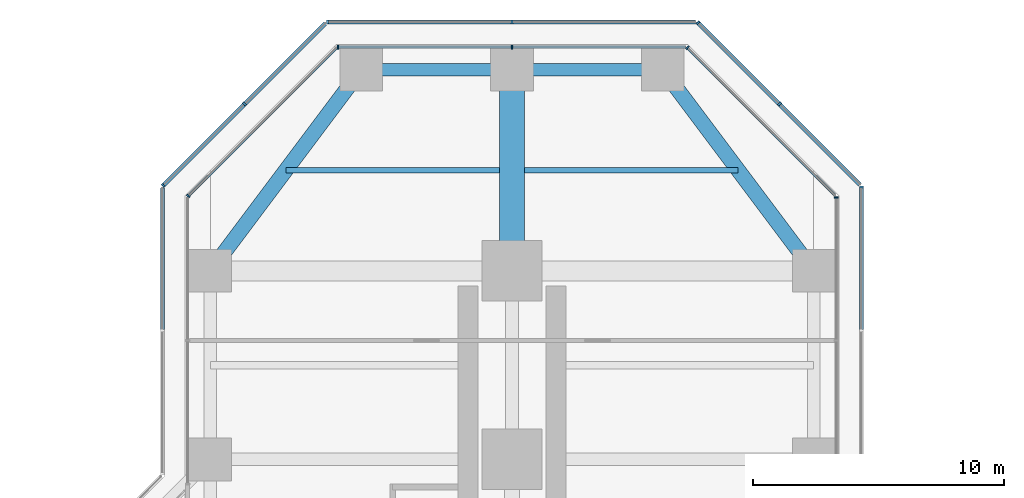
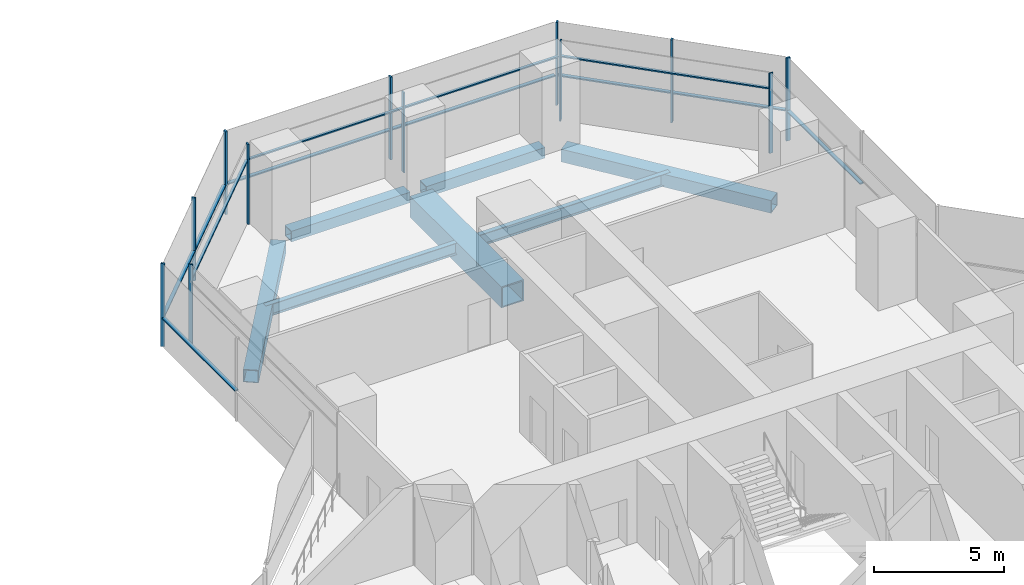
# One storey, part 13 of 22: 24 members, 7 beams, 9 elements without a shape of their own.
"""IFC4 building model written with IfcOpenShell, lengths in metres."""

from ifc_helpers import new_model, si_unit, direction, frame, origin, origin_2d, place, context, subcontext, project, spatial, rectangle, hollow_rectangle, i_section, extrude, material, material_profile, profile_set, type_object, element, aggregate, save


model = new_model("IFC4")

# Units and contexts
model_context = context("Model", 3, precision=1e-05, world=origin(), true_north=direction((0.0, 1.0)))
body_context = subcontext(model_context, "Body", "Model", "MODEL_VIEW")
ifc_project = project(units=[si_unit("LENGTHUNIT", "METRE"), si_unit("AREAUNIT", "SQUARE_METRE"), si_unit("VOLUMEUNIT", "CUBIC_METRE"), si_unit("PLANEANGLEUNIT", "RADIAN"), si_unit("MASSUNIT", "GRAM", prefix="KILO")], contexts=[model_context])

# Site, building, storey
site_placement = place(None, origin())
site = spatial("IfcSite", under=ifc_project, at=site_placement, CompositionType="ELEMENT")
building_placement = place(site_placement, origin())
building = spatial("IfcBuilding", under=site, at=building_placement, Name="Mizan Broadcast Tower", CompositionType="ELEMENT")
storey_placement = place(building_placement, frame((0.0, 0.0, 66.89990234375)))
storey = spatial("IfcBuildingStorey", under=building, at=storey_placement, Name="L13", CompositionType="ELEMENT", Elevation=66.89990234375)

# Beams
ifc_material_1 = material(Name="Steel S355", Category="steel")
ifc_material_profile_1 = material_profile(ifc_material_1, hollow_rectangle(XDim=0.5, YDim=0.5, WallThickness=0.030029296875, at=origin_2d()), Name="BOX 500x500x30")
ifc_profile_set_1 = profile_set([ifc_material_profile_1], Name="Steel S355")
beam_type_1 = type_object("IfcBeamType", Name="EDGE BEAM BOX 500x500x30", PredefinedType="SPANDREL", material=ifc_profile_set_1)
for number, where, z_axis, x_axis, name in (
    (1, (5.639892578125, 35.0, -0.3798828125), (-1.0, 0.0, 0.0), (0.0, -1.0, 0.0), "Edge beam BOX 500x500x30 L13 north arm"),
    (2, (-5.639892578125, 35.0, -0.3798828125), (1.0, 0.0, 0.0), (0.0, 1.0, 0.0), "Edge beam BOX 500x500x30 L13 north arm"),
):
    element("IfcBeam", number, at=place(storey_placement, frame(where, z_axis=z_axis, x_axis=x_axis)), inside=storey, type_object=beam_type_1, Name=name, PredefinedType="SPANDREL", context=body_context, shape_type="SweptSolid", body=[
        extrude(hollow_rectangle(XDim=0.5, YDim=0.5, WallThickness=0.030029296875, at=origin_2d()), origin(), (0.0, 0.0, 1.0), 5.27978515625),
    ])
ifc_material_2 = material(Name="Steel S355", Category="steel")
ifc_material_profile_2 = material_profile(ifc_material_2, hollow_rectangle(XDim=0.60009765625, YDim=0.60009765625, WallThickness=0.030029296875, at=origin_2d()), Name="BOX 600x600x30")
ifc_profile_set_2 = profile_set([ifc_material_profile_2], Name="Steel S355")
beam_type_2 = type_object("IfcBeamType", Name="EDGE BEAM BOX 600x600x30", PredefinedType="SPANDREL", material=ifc_profile_set_2)
for number, where, z_axis, x_axis, name in (
    (3, (11.639892578125, 27.47998046875, -0.429931640625), (-0.599982243973, 0.800013316712, 0.0), (-0.800013316712, -0.599982243973, 0.0), "Edge beam BOX 600x600x30 L13 north arm"),
    (4, (-11.639892578125, 27.47998046875, -0.429931640625), (0.599982243973, 0.800013316712, 0.0), (-0.800013316712, 0.599982243973, 0.0), "Edge beam BOX 600x600x30 L13 north arm"),
):
    element("IfcBeam", number, at=place(storey_placement, frame(where, z_axis=z_axis, x_axis=x_axis)), inside=storey, type_object=beam_type_2, Name=name, PredefinedType="SPANDREL", context=body_context, shape_type="SweptSolid", body=[
        extrude(hollow_rectangle(XDim=0.60009765625, YDim=0.60009765625, WallThickness=0.030029296875, at=origin_2d()), origin(), (0.0, 0.0, 1.0), 8.7998046875),
    ])
ifc_material_3 = material(Name="Steel S460", Category="steel")
ifc_material_profile_3 = material_profile(ifc_material_3, hollow_rectangle(XDim=1.0, YDim=1.0, WallThickness=0.06005859375, at=origin_2d()), Name="BOX 1000x1000x60")
ifc_profile_set_3 = profile_set([ifc_material_profile_3], Name="Steel S460")
beam_type_3 = type_object("IfcBeamType", Name="GIRDER BOX 1000x1000x60", PredefinedType="BEAM", material=ifc_profile_set_3)
beam_placement = place(storey_placement, frame((0.0, 27.47998046875, -0.6298828125), z_axis=(0.0, 1.0, 0.0), x_axis=(-1.0, 0.0, 0.0)))
element("IfcBeam", 5, at=beam_placement, inside=storey, type_object=beam_type_3, Name="Girder BOX 1000x1000x60 L13 north arm", PredefinedType="BEAM", context=body_context, shape_type="SweptSolid", body=[
    extrude(hollow_rectangle(XDim=1.0, YDim=1.0, WallThickness=0.06005859375, at=origin_2d()), origin(), (0.0, 0.0, 1.0), 7.0400390625),
])

# Curtain wall, member
ifc_material_4 = material(Name="Aluminium framed glazing", Category="aluminium")
curtain_wall_type_1 = type_object("IfcCurtainWallType", Name="INNER SKIN LOW ZONE", PredefinedType="USERDEFINED", material=ifc_material_4)
curtain_wall_1_placement = place(storey_placement, origin())
curtain_wall_1 = element("IfcCurtainWall", 6, at=curtain_wall_1_placement, inside=storey, type_object=curtain_wall_type_1, Name="Inner skin low zone L13 N side", ObjectType="INNER SKIN LOW ZONE", PredefinedType="USERDEFINED")
ifc_material_5 = material(Name="Aluminium, pale anodised", Category="aluminium")
ifc_material_profile_4 = material_profile(ifc_material_5, rectangle(XDim=0.159912109375, YDim=0.06005859375, at=origin_2d()), Name="MULLION 160x60")
ifc_profile_set_4 = profile_set([ifc_material_profile_4], Name="Aluminium, pale anodised")
member_type_1 = type_object("IfcMemberType", Name="INNER SKIN MULLION 60x160", PredefinedType="MULLION", material=ifc_profile_set_4)
member_1_placement = place(storey_placement, frame((12.89990234375, 29.928466796875, 0.0), z_axis=(0.0, 0.0, 1.0), x_axis=(-1.0, 0.0, 0.0)))
member_1 = element("IfcMember", 7, at=member_1_placement, type_object=member_type_1, Name="Inner skin low zone L13 N side mullion 3", PredefinedType="MULLION", context=body_context, shape_type="SweptSolid", body=[
    extrude(rectangle(XDim=0.159912109375, YDim=0.06005859375, at=origin_2d()), origin(), (0.0, 0.0, 1.0), 3.77001953125),
])
aggregate(curtain_wall_1, [member_1])

curtain_wall_2_placement = place(storey_placement, origin())
curtain_wall_2 = element("IfcCurtainWall", 8, at=curtain_wall_2_placement, inside=storey, type_object=curtain_wall_type_1, Name="Inner skin low zone L13 N chamfer", ObjectType="INNER SKIN LOW ZONE", PredefinedType="USERDEFINED")
member_2_placement = place(storey_placement, frame((6.979736328125, 35.87890625, 0.0), z_axis=(0.0, 0.0, 1.0), x_axis=(-0.707106781187, -0.707106781187, 0.0)))
member_2 = element("IfcMember", 9, at=member_2_placement, type_object=member_type_1, Name="Inner skin low zone L13 N chamfer mullion 2", PredefinedType="MULLION", context=body_context, shape_type="SweptSolid", body=[
    extrude(rectangle(XDim=0.159912109375, YDim=0.06005859375, at=origin_2d()), origin(), (0.0, 0.0, 1.0), 3.77001953125),
])

# Curtain wall, members
curtain_wall_3_placement = place(storey_placement, origin())
curtain_wall_3 = element("IfcCurtainWall", 10, at=curtain_wall_3_placement, inside=storey, type_object=curtain_wall_type_1, Name="Inner skin low zone L13 N end", ObjectType="INNER SKIN LOW ZONE", PredefinedType="USERDEFINED")
member_3_placement = place(storey_placement, frame((0.0, 35.89990234375, 0.0), z_axis=(0.0, 0.0, 1.0), x_axis=(0.0, -1.0, 0.0)))
member_3 = element("IfcMember", 11, at=member_3_placement, type_object=member_type_1, Name="Inner skin low zone L13 N end mullion 2", PredefinedType="MULLION", context=body_context, shape_type="SweptSolid", body=[
    extrude(rectangle(XDim=0.159912109375, YDim=0.06005859375, at=origin_2d()), origin(), (0.0, 0.0, 1.0), 3.77001953125),
])
member_4_placement = place(storey_placement, frame((-6.928466796875, 35.89990234375, 0.0), z_axis=(0.0, 0.0, 1.0), x_axis=(0.0, -1.0, 0.0)))
member_4 = element("IfcMember", 12, at=member_4_placement, type_object=member_type_1, Name="Inner skin low zone L13 N end mullion 3", PredefinedType="MULLION", context=body_context, shape_type="SweptSolid", body=[
    extrude(rectangle(XDim=0.159912109375, YDim=0.06005859375, at=origin_2d()), origin(), (0.0, 0.0, 1.0), 3.77001953125),
])

# Curtain wall, member
curtain_wall_4_placement = place(storey_placement, origin())
curtain_wall_4 = element("IfcCurtainWall", 13, at=curtain_wall_4_placement, inside=storey, type_object=curtain_wall_type_1, Name="Inner skin low zone L13 N chamfer", ObjectType="INNER SKIN LOW ZONE", PredefinedType="USERDEFINED")
member_5_placement = place(storey_placement, frame((-12.87890625, 29.979736328125, 0.0), z_axis=(0.0, 0.0, 1.0), x_axis=(0.707106781187, -0.707106781187, 0.0)))
member_5 = element("IfcMember", 14, at=member_5_placement, type_object=member_type_1, Name="Inner skin low zone L13 N chamfer mullion 2", PredefinedType="MULLION", context=body_context, shape_type="SweptSolid", body=[
    extrude(rectangle(XDim=0.159912109375, YDim=0.06005859375, at=origin_2d()), origin(), (0.0, 0.0, 1.0), 3.77001953125),
])

# Member
ifc_material_6 = material(Name="Aluminium, pale anodised", Category="aluminium")
ifc_material_profile_5 = material_profile(ifc_material_6, rectangle(XDim=0.1201171875, YDim=0.06005859375, at=origin_2d()), Name="TRANSOM 120x60")
ifc_profile_set_5 = profile_set([ifc_material_profile_5], Name="Aluminium, pale anodised")
member_type_2 = type_object("IfcMemberType", Name="INNER SKIN TRANSOM 60x120", PredefinedType="USERDEFINED", material=ifc_profile_set_5)
member_6_placement = place(storey_placement, frame((12.857666015625, 30.0009765625, 3.030029296875), z_axis=(-0.707106781187, 0.707106781187, 0.0), x_axis=(-0.707106781187, -0.707106781187, 0.0)))
member_6 = element("IfcMember", 15, at=member_6_placement, type_object=member_type_2, Name="Inner skin low zone L13 N chamfer transom 1.1", ObjectType="TRANSOM", PredefinedType="USERDEFINED", context=body_context, shape_type="SweptSolid", body=[
    extrude(rectangle(XDim=0.1201171875, YDim=0.06005859375, at=origin_2d()), origin(), (0.0, 0.0, 1.0), 8.28271484375),
])

aggregate(curtain_wall_2, [member_2, member_6])

member_7_placement = place(storey_placement, frame((6.898681640625, 35.89990234375, 3.030029296875), z_axis=(-1.0, 0.0, 0.0), x_axis=(0.0, -1.0, 0.0)))
member_7 = element("IfcMember", 16, at=member_7_placement, type_object=member_type_2, Name="Inner skin low zone L13 N end transom 1.1", ObjectType="TRANSOM", PredefinedType="USERDEFINED", context=body_context, shape_type="SweptSolid", body=[
    extrude(rectangle(XDim=0.1201171875, YDim=0.06005859375, at=origin_2d()), origin(), (0.0, 0.0, 1.0), 6.86865234375),
])

member_8_placement = place(storey_placement, frame((-0.030029296875, 35.89990234375, 3.030029296875), z_axis=(-1.0, 0.0, 0.0), x_axis=(0.0, -1.0, 0.0)))
member_8 = element("IfcMember", 17, at=member_8_placement, type_object=member_type_2, Name="Inner skin low zone L13 N end transom 2.1", ObjectType="TRANSOM", PredefinedType="USERDEFINED", context=body_context, shape_type="SweptSolid", body=[
    extrude(rectangle(XDim=0.1201171875, YDim=0.06005859375, at=origin_2d()), origin(), (0.0, 0.0, 1.0), 6.86865234375),
])

aggregate(curtain_wall_3, [member_3, member_4, member_7, member_8])

member_9_placement = place(storey_placement, frame((-7.0009765625, 35.857666015625, 3.030029296875), z_axis=(-0.707106781187, -0.707106781187, 0.0), x_axis=(0.707106781187, -0.707106781187, 0.0)))
member_9 = element("IfcMember", 18, at=member_9_placement, type_object=member_type_2, Name="Inner skin low zone L13 N chamfer transom 1.1", ObjectType="TRANSOM", PredefinedType="USERDEFINED", context=body_context, shape_type="SweptSolid", body=[
    extrude(rectangle(XDim=0.1201171875, YDim=0.06005859375, at=origin_2d()), origin(), (0.0, 0.0, 1.0), 8.28271484375),
])

aggregate(curtain_wall_4, [member_5, member_9])

# Curtain wall, member
ifc_material_7 = material(Name="Aluminium framed glazing", Category="aluminium")
curtain_wall_type_2 = type_object("IfcCurtainWallType", Name="OUTER SKIN", PredefinedType="USERDEFINED", material=ifc_material_7)
curtain_wall_5_placement = place(storey_placement, origin())
curtain_wall_5 = element("IfcCurtainWall", 19, at=curtain_wall_5_placement, inside=storey, type_object=curtain_wall_type_2, Name="Outer skin L13 N side", ObjectType="OUTER SKIN", PredefinedType="USERDEFINED")
ifc_material_8 = material(Name="Aluminium, pale anodised", Category="aluminium")
ifc_material_profile_6 = material_profile(ifc_material_8, rectangle(XDim=0.159912109375, YDim=0.080078125, at=origin_2d()), Name="MULLION 160x80")
ifc_profile_set_6 = profile_set([ifc_material_profile_6], Name="Aluminium, pale anodised")
member_type_3 = type_object("IfcMemberType", Name="OUTER SKIN MULLION 80x160", PredefinedType="MULLION", material=ifc_profile_set_6)
member_10_placement = place(storey_placement, frame((13.89990234375, 30.332763671875, 0.0), z_axis=(0.0, 0.0, 1.0), x_axis=(-1.0, 0.0, 0.0)))
member_10 = element("IfcMember", 20, at=member_10_placement, type_object=member_type_3, Name="Outer skin L13 N side mullion 3", PredefinedType="MULLION", context=body_context, shape_type="SweptSolid", body=[
    extrude(rectangle(XDim=0.159912109375, YDim=0.080078125, at=origin_2d()), origin(), (0.0, 0.0, 1.0), 3.900146484375),
])

# Curtain wall, members
curtain_wall_6_placement = place(storey_placement, origin())
curtain_wall_6 = element("IfcCurtainWall", 21, at=curtain_wall_6_placement, inside=storey, type_object=curtain_wall_type_2, Name="Outer skin L13 N chamfer", ObjectType="OUTER SKIN", PredefinedType="USERDEFINED")
member_11_placement = place(storey_placement, frame((10.636474609375, 33.636474609375, 0.0), z_axis=(0.0, 0.0, 1.0), x_axis=(-0.707106781187, -0.707106781187, 0.0)))
member_11 = element("IfcMember", 22, at=member_11_placement, type_object=member_type_3, Name="Outer skin L13 N chamfer mullion 2", PredefinedType="MULLION", context=body_context, shape_type="SweptSolid", body=[
    extrude(rectangle(XDim=0.159912109375, YDim=0.080078125, at=origin_2d()), origin(), (0.0, 0.0, 1.0), 3.900146484375),
])
member_12_placement = place(storey_placement, frame((7.401123046875, 36.871826171875, 0.0), z_axis=(0.0, 0.0, 1.0), x_axis=(-0.707106781187, -0.707106781187, 0.0)))
member_12 = element("IfcMember", 23, at=member_12_placement, type_object=member_type_3, Name="Outer skin L13 N chamfer mullion 3", PredefinedType="MULLION", context=body_context, shape_type="SweptSolid", body=[
    extrude(rectangle(XDim=0.159912109375, YDim=0.080078125, at=origin_2d()), origin(), (0.0, 0.0, 1.0), 3.900146484375),
])

curtain_wall_7_placement = place(storey_placement, origin())
curtain_wall_7 = element("IfcCurtainWall", 24, at=curtain_wall_7_placement, inside=storey, type_object=curtain_wall_type_2, Name="Outer skin L13 N end", ObjectType="OUTER SKIN", PredefinedType="USERDEFINED")
member_13_placement = place(storey_placement, frame((0.0, 36.89990234375, 0.0), z_axis=(0.0, 0.0, 1.0), x_axis=(0.0, -1.0, 0.0)))
member_13 = element("IfcMember", 25, at=member_13_placement, type_object=member_type_3, Name="Outer skin L13 N end mullion 2", PredefinedType="MULLION", context=body_context, shape_type="SweptSolid", body=[
    extrude(rectangle(XDim=0.159912109375, YDim=0.080078125, at=origin_2d()), origin(), (0.0, 0.0, 1.0), 3.900146484375),
])
member_14_placement = place(storey_placement, frame((-7.332763671875, 36.89990234375, 0.0), z_axis=(0.0, 0.0, 1.0), x_axis=(0.0, -1.0, 0.0)))
member_14 = element("IfcMember", 26, at=member_14_placement, type_object=member_type_3, Name="Outer skin L13 N end mullion 3", PredefinedType="MULLION", context=body_context, shape_type="SweptSolid", body=[
    extrude(rectangle(XDim=0.159912109375, YDim=0.080078125, at=origin_2d()), origin(), (0.0, 0.0, 1.0), 3.900146484375),
])

curtain_wall_8_placement = place(storey_placement, origin())
curtain_wall_8 = element("IfcCurtainWall", 27, at=curtain_wall_8_placement, inside=storey, type_object=curtain_wall_type_2, Name="Outer skin L13 N chamfer", ObjectType="OUTER SKIN", PredefinedType="USERDEFINED")
member_15_placement = place(storey_placement, frame((-10.636474609375, 33.636474609375, 0.0), z_axis=(0.0, 0.0, 1.0), x_axis=(0.707106781187, -0.707106781187, 0.0)))
member_15 = element("IfcMember", 28, at=member_15_placement, type_object=member_type_3, Name="Outer skin L13 N chamfer mullion 2", PredefinedType="MULLION", context=body_context, shape_type="SweptSolid", body=[
    extrude(rectangle(XDim=0.159912109375, YDim=0.080078125, at=origin_2d()), origin(), (0.0, 0.0, 1.0), 3.900146484375),
])
member_16_placement = place(storey_placement, frame((-13.871826171875, 30.401123046875, 0.0), z_axis=(0.0, 0.0, 1.0), x_axis=(0.707106781187, -0.707106781187, 0.0)))
member_16 = element("IfcMember", 29, at=member_16_placement, type_object=member_type_3, Name="Outer skin L13 N chamfer mullion 3", PredefinedType="MULLION", context=body_context, shape_type="SweptSolid", body=[
    extrude(rectangle(XDim=0.159912109375, YDim=0.080078125, at=origin_2d()), origin(), (0.0, 0.0, 1.0), 3.900146484375),
])

# Member
ifc_material_9 = material(Name="Aluminium, pale anodised", Category="aluminium")
ifc_material_profile_7 = material_profile(ifc_material_9, rectangle(XDim=0.159912109375, YDim=0.06005859375, at=origin_2d()), Name="TRANSOM 160x60")
ifc_profile_set_7 = profile_set([ifc_material_profile_7], Name="Aluminium, pale anodised")
member_type_4 = type_object("IfcMemberType", Name="OUTER SKIN TRANSOM 60x160", PredefinedType="USERDEFINED", material=ifc_profile_set_7)
member_17_placement = place(storey_placement, frame((13.89990234375, 24.662841796875, 1.400146484375), z_axis=(0.0, 1.0, 0.0), x_axis=(-1.0, 0.0, 0.0)))
member_17 = element("IfcMember", 30, at=member_17_placement, type_object=member_type_4, Name="Outer skin L13 N side transom 2.1", ObjectType="TRANSOM", PredefinedType="USERDEFINED", context=body_context, shape_type="SweptSolid", body=[
    extrude(rectangle(XDim=0.159912109375, YDim=0.06005859375, at=origin_2d()), origin(), (0.0, 0.0, 1.0), 5.6298828125),
])

aggregate(curtain_wall_5, [member_10, member_17])

member_18_placement = place(storey_placement, frame((13.843505859375, 30.429443359375, 1.400146484375), z_axis=(-0.707106781187, 0.707106781187, 0.0), x_axis=(-0.707106781187, -0.707106781187, 0.0)))
member_18 = element("IfcMember", 31, at=member_18_placement, type_object=member_type_4, Name="Outer skin L13 N chamfer transom 1.1", ObjectType="TRANSOM", PredefinedType="USERDEFINED", context=body_context, shape_type="SweptSolid", body=[
    extrude(rectangle(XDim=0.159912109375, YDim=0.06005859375, at=origin_2d()), origin(), (0.0, 0.0, 1.0), 4.495361328125),
])

member_19_placement = place(storey_placement, frame((10.608154296875, 33.664794921875, 1.400146484375), z_axis=(-0.707106781187, 0.707106781187, 0.0), x_axis=(-0.707106781187, -0.707106781187, 0.0)))
member_19 = element("IfcMember", 32, at=member_19_placement, type_object=member_type_4, Name="Outer skin L13 N chamfer transom 2.1", ObjectType="TRANSOM", PredefinedType="USERDEFINED", context=body_context, shape_type="SweptSolid", body=[
    extrude(rectangle(XDim=0.159912109375, YDim=0.06005859375, at=origin_2d()), origin(), (0.0, 0.0, 1.0), 4.495361328125),
])

aggregate(curtain_wall_6, [member_11, member_12, member_18, member_19])

member_20_placement = place(storey_placement, frame((7.292724609375, 36.89990234375, 1.400146484375), z_axis=(-1.0, 0.0, 0.0), x_axis=(0.0, -1.0, 0.0)))
member_20 = element("IfcMember", 33, at=member_20_placement, type_object=member_type_4, Name="Outer skin L13 N end transom 1.1", ObjectType="TRANSOM", PredefinedType="USERDEFINED", context=body_context, shape_type="SweptSolid", body=[
    extrude(rectangle(XDim=0.159912109375, YDim=0.06005859375, at=origin_2d()), origin(), (0.0, 0.0, 1.0), 7.252685546875),
])

member_21_placement = place(storey_placement, frame((-0.0400390625, 36.89990234375, 1.400146484375), z_axis=(-1.0, 0.0, 0.0), x_axis=(0.0, -1.0, 0.0)))
member_21 = element("IfcMember", 34, at=member_21_placement, type_object=member_type_4, Name="Outer skin L13 N end transom 2.1", ObjectType="TRANSOM", PredefinedType="USERDEFINED", context=body_context, shape_type="SweptSolid", body=[
    extrude(rectangle(XDim=0.159912109375, YDim=0.06005859375, at=origin_2d()), origin(), (0.0, 0.0, 1.0), 7.252685546875),
])

aggregate(curtain_wall_7, [member_13, member_14, member_20, member_21])

member_22_placement = place(storey_placement, frame((-7.429443359375, 36.843505859375, 1.400146484375), z_axis=(-0.707106781187, -0.707106781187, 0.0), x_axis=(0.707106781187, -0.707106781187, 0.0)))
member_22 = element("IfcMember", 35, at=member_22_placement, type_object=member_type_4, Name="Outer skin L13 N chamfer transom 1.1", ObjectType="TRANSOM", PredefinedType="USERDEFINED", context=body_context, shape_type="SweptSolid", body=[
    extrude(rectangle(XDim=0.159912109375, YDim=0.06005859375, at=origin_2d()), origin(), (0.0, 0.0, 1.0), 4.495361328125),
])

member_23_placement = place(storey_placement, frame((-10.664794921875, 33.608154296875, 1.400146484375), z_axis=(-0.707106781187, -0.707106781187, 0.0), x_axis=(0.707106781187, -0.707106781187, 0.0)))
member_23 = element("IfcMember", 36, at=member_23_placement, type_object=member_type_4, Name="Outer skin L13 N chamfer transom 2.1", ObjectType="TRANSOM", PredefinedType="USERDEFINED", context=body_context, shape_type="SweptSolid", body=[
    extrude(rectangle(XDim=0.159912109375, YDim=0.06005859375, at=origin_2d()), origin(), (0.0, 0.0, 1.0), 4.495361328125),
])

aggregate(curtain_wall_8, [member_15, member_16, member_22, member_23])

# Curtain wall, member
curtain_wall_9_placement = place(storey_placement, origin())
curtain_wall_9 = element("IfcCurtainWall", 37, at=curtain_wall_9_placement, inside=storey, type_object=curtain_wall_type_2, Name="Outer skin L13 N side", ObjectType="OUTER SKIN", PredefinedType="USERDEFINED")
member_24_placement = place(storey_placement, frame((-13.89990234375, 30.292724609375, 1.400146484375), z_axis=(0.0, -1.0, 0.0), x_axis=(1.0, 0.0, 0.0)))
member_24 = element("IfcMember", 38, at=member_24_placement, type_object=member_type_4, Name="Outer skin L13 N side transom 1.1", ObjectType="TRANSOM", PredefinedType="USERDEFINED", context=body_context, shape_type="SweptSolid", body=[
    extrude(rectangle(XDim=0.159912109375, YDim=0.06005859375, at=origin_2d()), origin(), (0.0, 0.0, 1.0), 5.6298828125),
])
aggregate(curtain_wall_9, [member_24])

# Beams
ifc_material_10 = material(Name="Steel S355", Category="steel")
ifc_material_profile_8 = material_profile(ifc_material_10, i_section(OverallWidth=0.2099609375, OverallDepth=0.550048828125, WebThickness=0.010986328125, FlangeThickness=0.01708984375, FilletRadius=0.02392578125, at=origin_2d()), Name="IPE 550")
ifc_profile_set_8 = profile_set([ifc_material_profile_8], Name="Steel S355")
beam_type_4 = type_object("IfcBeamType", Name="SECONDARY BEAM IPE 550", PredefinedType="JOIST", material=ifc_profile_set_8)
for number, where, z_axis, x_axis, name in (
    (39, (9.0, 31.0, -0.40478515625), (-1.0, 0.0, 0.0), (0.0, -1.0, 0.0), "Secondary beam IPE 550 L13 north arm"),
    (40, (-9.0, 31.0, -0.40478515625), (1.0, 0.0, 0.0), (0.0, 1.0, 0.0), "Secondary beam IPE 550 L13 north arm"),
):
    element("IfcBeam", number, at=place(storey_placement, frame(where, z_axis=z_axis, x_axis=x_axis)), inside=storey, type_object=beam_type_4, Name=name, PredefinedType="JOIST", context=body_context, shape_type="SweptSolid", body=[
        extrude(i_section(OverallWidth=0.2099609375, OverallDepth=0.550048828125, WebThickness=0.010986328125, FlangeThickness=0.01708984375, FilletRadius=0.02392578125, at=origin_2d()), origin(), (0.0, 0.0, 1.0), 8.5),
    ])

save(model, "model.ifc")
